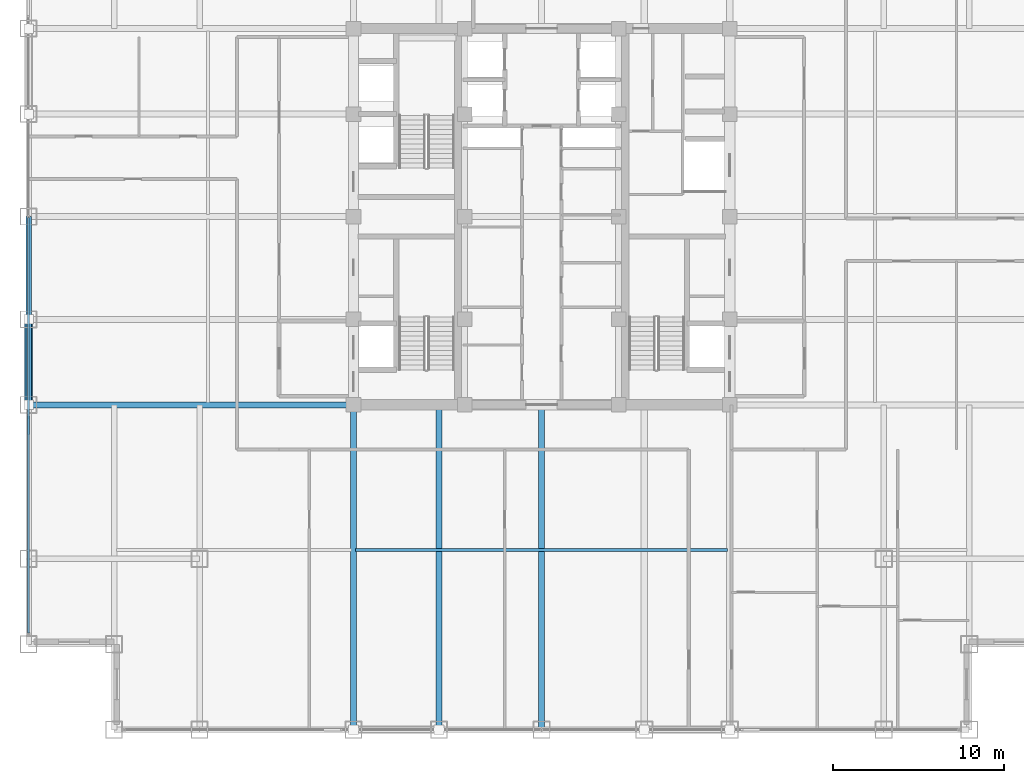
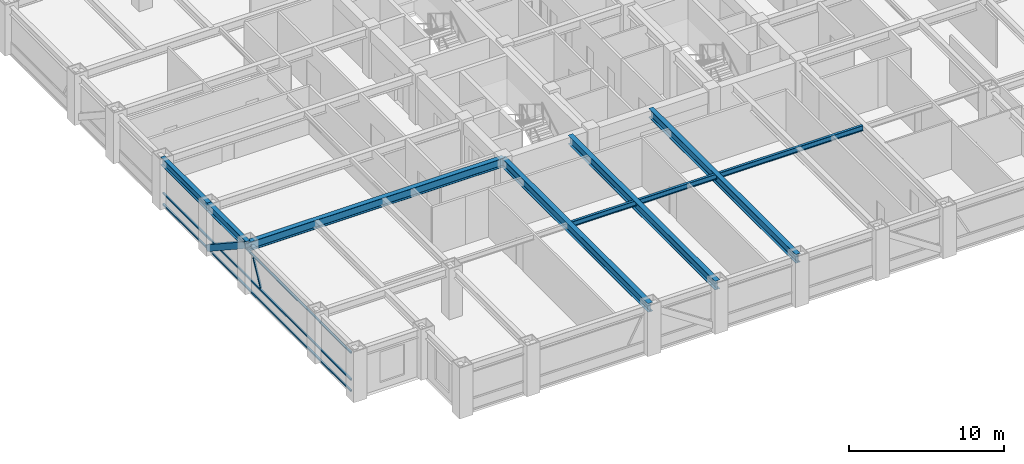
# One storey, part 5 of 25: 7 beams, 5 members, 1 element without a shape of its own.
"""IFC4 building model written with IfcOpenShell, lengths in metres."""

from ifc_helpers import new_model, si_unit, direction, frame, origin, origin_2d, place, context, subcontext, project, spatial, hollow_rectangle, i_section, extrude, source, transform, mapped, material, material_profile, profile_set, type_object, element, aggregate, save


model = new_model("IFC4")

# Units and contexts
model_context = context("Model", 3, precision=1e-05, world=origin(), true_north=direction((0.0, 1.0)))
body_context = subcontext(model_context, "Body", "Model", "MODEL_VIEW")
ifc_project = project(units=[si_unit("LENGTHUNIT", "METRE"), si_unit("AREAUNIT", "SQUARE_METRE"), si_unit("VOLUMEUNIT", "CUBIC_METRE"), si_unit("PLANEANGLEUNIT", "RADIAN"), si_unit("MASSUNIT", "GRAM", prefix="KILO")], contexts=[model_context])

# Site, building, storey
site_placement = place(None, origin())
site = spatial("IfcSite", under=ifc_project, at=site_placement, CompositionType="ELEMENT")
building_placement = place(site_placement, origin())
building = spatial("IfcBuilding", under=site, at=building_placement, Name="Khorayat Bourse Tower", CompositionType="ELEMENT")
storey_placement = place(building_placement, frame((0.0, 0.0, 247.10009765625)))
storey = spatial("IfcBuildingStorey", under=building, at=storey_placement, Name="L58", CompositionType="ELEMENT", Elevation=247.10009765625)

# Beams
ifc_material_1 = material(Name="Steel ASTM A992 Grade 50", Category="steel")
ifc_material_profile_1 = material_profile(ifc_material_1, i_section(OverallWidth=0.180908203125, OverallDepth=0.4169921875, WebThickness=0.010986328125, FlangeThickness=0.018310546875, FilletRadius=0.011962890625, at=origin_2d()), Name="W410X85")
ifc_profile_set_1 = profile_set([ifc_material_profile_1], Name="Steel ASTM A992 Grade 50")
beam_type_1 = type_object("IfcBeamType", Name="BM-JOIST-410", PredefinedType="JOIST", material=ifc_profile_set_1)
shared_shape_1 = source(origin(), body_context, "Body", "SweptSolid", [
    extrude(i_section(OverallWidth=0.180908203125, OverallDepth=0.4169921875, WebThickness=0.010986328125, FlangeThickness=0.018310546875, FilletRadius=0.011962890625, at=origin_2d()), origin(), (0.0, 0.0, 1.0), 21.740234375),
])
beam_1_placement = place(storey_placement, frame((-10.8701171875, -19.5, 3.5712890625), z_axis=(1.0, 0.0, 0.0), x_axis=(0.0, 1.0, 0.0)))
element("IfcBeam", 1, at=beam_1_placement, inside=storey, type_object=beam_type_1, Name="L58 BM-JOIST-410 BM-L58-JSTX-097", PredefinedType="JOIST", context=body_context, shape_type="MappedRepresentation", body=[
    mapped(shared_shape_1, transform((0.0, 0.0, 0.0), scale=1.0)),
])
ifc_material_profile_2 = material_profile(ifc_material_1, i_section(OverallWidth=0.324951171875, OverallDepth=0.615966796875, WebThickness=0.013916015625, FlangeThickness=0.021484375, FilletRadius=0.01611328125, at=origin_2d()), Name="W610X174")
ifc_profile_set_2 = profile_set([ifc_material_profile_2], Name="Steel ASTM A992 Grade 50")
beam_type_2 = type_object("IfcBeamType", Name="BM-SPAN-610", PredefinedType="SPANDREL", material=ifc_profile_set_2)
shared_shape_2 = source(origin(), body_context, "Body", "SweptSolid", [
    extrude(i_section(OverallWidth=0.324951171875, OverallDepth=0.615966796875, WebThickness=0.013916015625, FlangeThickness=0.021484375, FilletRadius=0.01611328125, at=origin_2d()), origin(), (0.0, 0.0, 1.0), 5.0),
])
beam_2_placement = place(storey_placement, frame((-30.0, -11.0, 3.471923828125), z_axis=(0.0, 1.0, 0.0), x_axis=(-1.0, 0.0, 0.0)))
element("IfcBeam", 2, at=beam_2_placement, inside=storey, type_object=beam_type_2, Name="L58 BM-SPAN-610 BM-L58-SPN-059", PredefinedType="SPANDREL", context=body_context, shape_type="MappedRepresentation", body=[
    mapped(shared_shape_2, transform((0.0, 0.0, 0.0), scale=1.0)),
])
shared_shape_3 = source(origin(), body_context, "Body", "SweptSolid", [
    extrude(i_section(OverallWidth=0.324951171875, OverallDepth=0.615966796875, WebThickness=0.013916015625, FlangeThickness=0.021484375, FilletRadius=0.01611328125, at=origin_2d()), origin(), (0.0, 0.0, 1.0), 6.0),
])
beam_3_placement = place(storey_placement, frame((-30.0, -6.0, 3.471923828125), z_axis=(0.0, 1.0, 0.0), x_axis=(-1.0, 0.0, 0.0)))
element("IfcBeam", 3, at=beam_3_placement, inside=storey, type_object=beam_type_2, Name="L58 BM-SPAN-610 BM-L58-SPN-058", PredefinedType="SPANDREL", context=body_context, shape_type="MappedRepresentation", body=[
    mapped(shared_shape_3, transform((0.0, 0.0, 0.0), scale=1.0)),
])
ifc_material_profile_3 = material_profile(ifc_material_1, i_section(OverallWidth=0.35498046875, OverallDepth=0.695068359375, WebThickness=0.015380859375, FlangeThickness=0.02490234375, FilletRadius=0.01806640625, at=origin_2d()), Name="W690X217")
ifc_profile_set_3 = profile_set([ifc_material_profile_3], Name="Steel ASTM A992 Grade 50")
beam_type_3 = type_object("IfcBeamType", Name="BM-GIRD-690", PredefinedType="BEAM", material=ifc_profile_set_3)
shared_shape_4 = source(origin(), body_context, "Body", "SweptSolid", [
    extrude(i_section(OverallWidth=0.35498046875, OverallDepth=0.695068359375, WebThickness=0.015380859375, FlangeThickness=0.02490234375, FilletRadius=0.01806640625, at=origin_2d()), origin(), (0.0, 0.0, 1.0), 19.0),
])
for number, where, z_axis, x_axis, name in (
    (4, (-11.0, -30.0, 3.432373046875), (0.0, 1.0, 0.0), (-1.0, 0.0, 0.0), "L58 BM-GIRD-690 BM-L58-RADY-065"),
    (5, (-6.0, -30.0, 3.432373046875), (0.0, 1.0, 0.0), (-1.0, 0.0, 0.0), "L58 BM-GIRD-690 BM-L58-RADY-067"),
    (6, (0.0, -30.0, 3.432373046875), (0.0, 1.0, 0.0), (-1.0, 0.0, 0.0), "L58 BM-GIRD-690 BM-L58-RADY-069"),
    (7, (-30.0, -11.0, 3.432373046875), (1.0, 0.0, 0.0), (0.0, 1.0, 0.0), "L58 BM-GIRD-690 BM-L58-RADX-075"),
):
    element("IfcBeam", number, at=place(storey_placement, frame(where, z_axis=z_axis, x_axis=x_axis)), inside=storey, type_object=beam_type_3, Name=name, PredefinedType="BEAM", context=body_context, shape_type="MappedRepresentation", body=[
        mapped(shared_shape_4, transform((0.0, 0.0, 0.0), scale=1.0)),
    ])

# Member
ifc_material_2 = material(Name="Steel EN 10025-4 S460M", Category="steel")
ifc_material_profile_4 = material_profile(ifc_material_2, hollow_rectangle(XDim=0.449951171875, YDim=0.449951171875, WallThickness=0.02490234375, at=origin_2d()), Name="HSS 450x450x25")
ifc_profile_set_4 = profile_set([ifc_material_profile_4], Name="Steel EN 10025-4 S460M")
member_type_1 = type_object("IfcMemberType", Name="MBR-TUBE-450", PredefinedType="BRACE", material=ifc_profile_set_4)
shared_shape_5 = source(origin(), body_context, "Body", "SweptSolid", [
    extrude(hollow_rectangle(XDim=0.449951171875, YDim=0.449951171875, WallThickness=0.02490234375, at=origin_2d()), origin(), (0.0, 0.0, 1.0), 5.979736328125),
])
member_1_placement = place(storey_placement, frame((-30.0, -11.0, 3.52978515625), z_axis=(0.0, 0.836160261256, -0.548485202623), x_axis=(-1.0, 0.0, 0.0)))
element("IfcMember", 8, at=member_1_placement, inside=storey, type_object=member_type_1, Name="L58 Perimeter Tube Brace 05", PredefinedType="BRACE", context=body_context, shape_type="MappedRepresentation", body=[
    mapped(shared_shape_5, transform((0.0, 0.0, 0.0), scale=1.0)),
])

# Curtain wall, members
ifc_material_3 = material(Name="Aluminium EN AW-6063 T6", Category="aluminium")
curtain_wall_type = type_object("IfcCurtainWallType", Name="CW-SYS-03", PredefinedType="NOTDEFINED", material=ifc_material_3)
curtain_wall_placement = place(storey_placement, origin())
curtain_wall = element("IfcCurtainWall", 9, at=curtain_wall_placement, inside=storey, type_object=curtain_wall_type, Name="L58 Curtain Wall CW-L58-W1", PredefinedType="NOTDEFINED")
ifc_material_profile_5 = material_profile(ifc_material_3, hollow_rectangle(XDim=0.1201171875, YDim=0.1201171875, WallThickness=0.0048828125, at=origin_2d()), Name="ALU 120x120x5")
ifc_profile_set_5 = profile_set([ifc_material_profile_5], Name="Aluminium EN AW-6063 T6")
member_type_2 = type_object("IfcMemberType", Name="CWM-DIAG-120", PredefinedType="MULLION", material=ifc_profile_set_5)
shared_shape_6 = source(origin(), body_context, "Body", "SweptSolid", [
    extrude(hollow_rectangle(XDim=0.1201171875, YDim=0.1201171875, WallThickness=0.0048828125, at=origin_2d()), origin(), (0.0, 0.0, 1.0), 2.079345703125),
])
member_2_placement = place(storey_placement, frame((-30.0, -12.67919921875, 1.08984375), z_axis=(0.0, 0.465760949701, 0.884910581773), x_axis=(-1.0, 0.0, 0.0)))
member_2 = element("IfcMember", 10, at=member_2_placement, type_object=member_type_2, Name="CW-L58-W1 Faceted Diagonal Mullion 1", PredefinedType="MULLION", context=body_context, shape_type="MappedRepresentation", body=[
    mapped(shared_shape_6, transform((0.0, 0.0, 0.0), scale=1.0)),
])
ifc_material_profile_6 = material_profile(ifc_material_3, hollow_rectangle(XDim=0.1201171875, YDim=0.1201171875, WallThickness=0.0048828125, at=origin_2d()), Name="ALU 120x120x5")
ifc_profile_set_6 = profile_set([ifc_material_profile_6], Name="Aluminium EN AW-6063 T6")
member_type_3 = type_object("IfcMemberType", Name="CWT-HORZ-120", PredefinedType="USERDEFINED", material=ifc_profile_set_6)
shared_shape_7 = source(origin(), body_context, "Body", "SweptSolid", [
    extrude(hollow_rectangle(XDim=0.1201171875, YDim=0.1201171875, WallThickness=0.0048828125, at=origin_2d()), origin(), (0.0, 0.0, 1.0), 24.27001953125),
])
member_3_placement = place(storey_placement, frame((-30.0, -24.330078125, 0.059814453125), z_axis=(0.0, 1.0, 0.0), x_axis=(-1.0, 0.0, 0.0)))
member_3 = element("IfcMember", 11, at=member_3_placement, type_object=member_type_3, Name="CW-L58-W1 Horizontal Transom 1-1", ObjectType="TRANSOM", PredefinedType="USERDEFINED", context=body_context, shape_type="MappedRepresentation", body=[
    mapped(shared_shape_7, transform((0.0, 0.0, 0.0), scale=1.0)),
])
member_4_placement = place(storey_placement, frame((-30.0, -24.330078125, 0.949951171875), z_axis=(0.0, 1.0, 0.0), x_axis=(-1.0, 0.0, 0.0)))
member_4 = element("IfcMember", 12, at=member_4_placement, type_object=member_type_3, Name="CW-L58-W1 Horizontal Transom 1-2", ObjectType="TRANSOM", PredefinedType="USERDEFINED", context=body_context, shape_type="MappedRepresentation", body=[
    mapped(shared_shape_7, transform((0.0, 0.0, 0.0), scale=1.0)),
])
member_5_placement = place(storey_placement, frame((-30.0, -24.330078125, 3.06982421875), z_axis=(0.0, 1.0, 0.0), x_axis=(-1.0, 0.0, 0.0)))
member_5 = element("IfcMember", 13, at=member_5_placement, type_object=member_type_3, Name="CW-L58-W1 Horizontal Transom 1-3", ObjectType="TRANSOM", PredefinedType="USERDEFINED", context=body_context, shape_type="MappedRepresentation", body=[
    mapped(shared_shape_7, transform((0.0, 0.0, 0.0), scale=1.0)),
])
aggregate(curtain_wall, [member_3, member_4, member_5, member_2])

save(model, "model.ifc")
